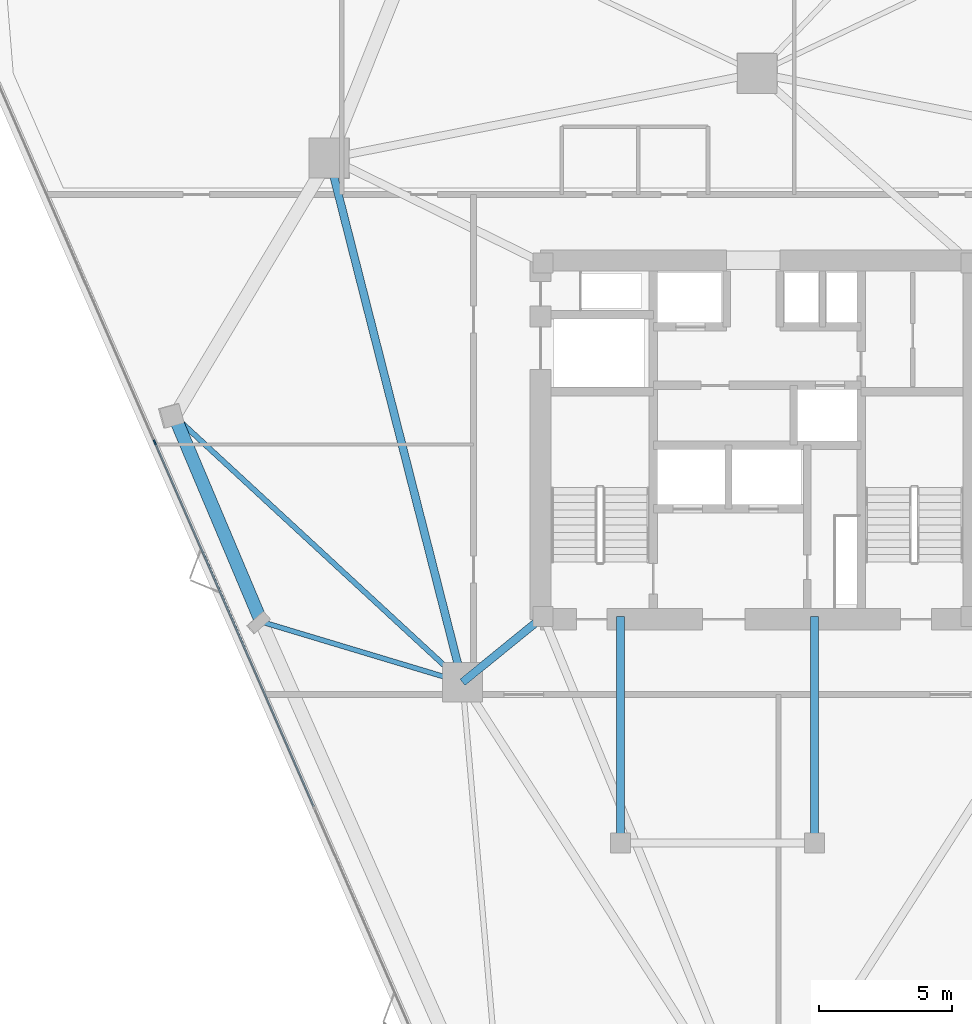
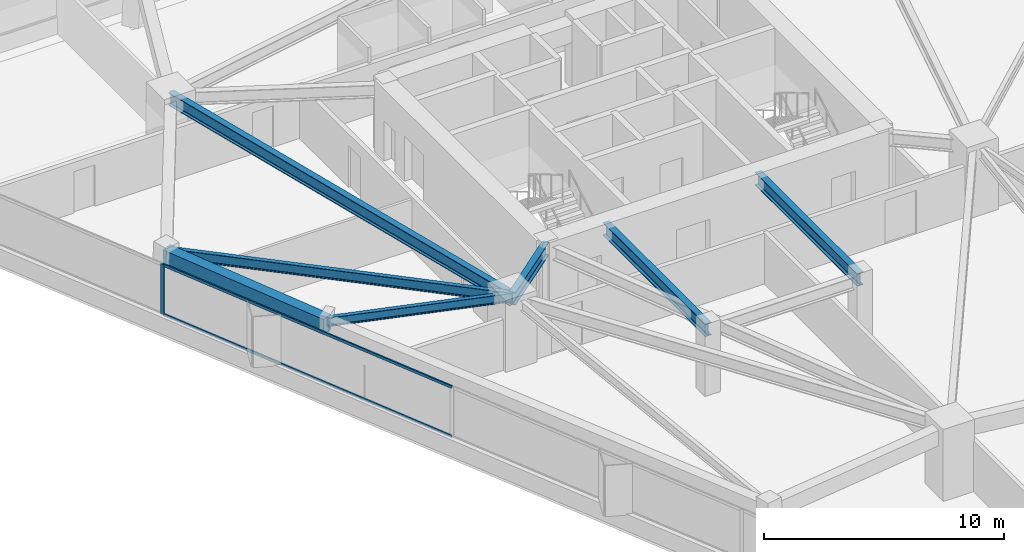
# One storey, part 4 of 16: 7 beams, 3 members, 1 element without a shape of its own.
"""IFC4 building model written with IfcOpenShell, lengths in metres."""

from ifc_helpers import new_model, si_unit, direction, frame, origin, origin_2d, place, context, subcontext, project, spatial, rectangle, i_section, extrude, material, layer, layer_set, material_profile, profile_set, type_object, element, aggregate, save


model = new_model("IFC4")

# Units and contexts
model_context = context("Model", 3, precision=1e-05, world=origin(), true_north=direction((0.0, 1.0)))
body_context = subcontext(model_context, "Body", "Model", "MODEL_VIEW")
ifc_project = project(units=[si_unit("LENGTHUNIT", "METRE"), si_unit("AREAUNIT", "SQUARE_METRE"), si_unit("VOLUMEUNIT", "CUBIC_METRE"), si_unit("PLANEANGLEUNIT", "RADIAN"), si_unit("MASSUNIT", "GRAM", prefix="KILO")], contexts=[model_context])

# Site, building, storey
site_placement = place(None, origin())
site = spatial("IfcSite", under=ifc_project, at=site_placement, CompositionType="ELEMENT")
building_placement = place(site_placement, origin())
building = spatial("IfcBuilding", under=site, at=building_placement, Name="Talyreon Biosciences Tower", CompositionType="ELEMENT")
storey_placement = place(building_placement, frame((0.0, 0.0, 134.5)))
storey = spatial("IfcBuildingStorey", under=building, at=storey_placement, Name="L35", CompositionType="ELEMENT", Elevation=134.5)

# Curtain wall, members
ifc_material_1 = material(Name="Thermally broken aluminium and low-E glazing", Category="aluminium")
ifc_layer = layer(ifc_material_1, 0.18505859375)
ifc_layer_set = layer_set([ifc_layer], Name="Thermally broken aluminium and low-E glazing")
curtain_wall_type = type_object("IfcCurtainWallType", Name="CurtainWall_Zone3Bioprocess", PredefinedType="NOTDEFINED", material=ifc_layer_set)
curtain_wall_placement = place(storey_placement, origin())
curtain_wall = element("IfcCurtainWall", 1, at=curtain_wall_placement, inside=storey, type_object=curtain_wall_type, Name="L35 Unitised Curtain Wall FCW-L35-00", PredefinedType="NOTDEFINED")
ifc_material_2 = material(Name="Anodised thermally broken aluminium", Category="aluminium")
ifc_material_profile_1 = material_profile(ifc_material_2, rectangle(XDim=0.06494140625, YDim=0.179931640625, at=origin_2d()), Name="ALUM MULLION 65x180")
ifc_profile_set_1 = profile_set([ifc_material_profile_1], Name="Anodised thermally broken aluminium")
member_type_1 = type_object("IfcMemberType", Name="CWMullion_65x180", PredefinedType="MULLION", material=ifc_profile_set_1)
member_1_placement = place(storey_placement, frame((43.3388671875, 67.910400390625, 0.81005859375), z_axis=(0.0, 0.0, 1.0), x_axis=(-0.916566441856, -0.399882429801, 0.0)))
member_1 = element("IfcMember", 2, at=member_1_placement, type_object=member_type_1, Name="CW4 mullion 4", PredefinedType="MULLION", context=body_context, shape_type="SweptSolid", body=[
    extrude(rectangle(XDim=0.06494140625, YDim=0.179931640625, at=origin_2d()), origin(), (0.0, 0.0, 1.0), 2.56494140625),
])
ifc_material_profile_2 = material_profile(ifc_material_2, rectangle(XDim=0.06494140625, YDim=0.139892578125, at=origin_2d()), Name="ALUM TRANSOM 65x140")
ifc_profile_set_2 = profile_set([ifc_material_profile_2], Name="Anodised thermally broken aluminium")
member_type_2 = type_object("IfcMemberType", Name="CWTransom_65x140", PredefinedType="USERDEFINED", material=ifc_profile_set_2)
member_2_placement = place(storey_placement, frame((49.3154296875, 54.2119140625, 0.842529296875), z_axis=(-0.399893696756, 0.916561526192, 0.0), x_axis=(-0.916561526192, -0.399893696756, 0.0)))
member_2 = element("IfcMember", 3, at=member_2_placement, type_object=member_type_2, Name="CW4 transom 3.1", ObjectType="TRANSOM", PredefinedType="USERDEFINED", context=body_context, shape_type="SweptSolid", body=[
    extrude(rectangle(XDim=0.06494140625, YDim=0.139892578125, at=origin_2d()), origin(), (0.0, 0.0, 1.0), 14.9130859375),
])
member_3_placement = place(storey_placement, frame((49.3154296875, 54.2119140625, 3.342529296875), z_axis=(-0.399893696756, 0.916561526192, 0.0), x_axis=(-0.916561526192, -0.399893696756, 0.0)))
member_3 = element("IfcMember", 4, at=member_3_placement, type_object=member_type_2, Name="CW4 transom 3.2", ObjectType="TRANSOM", PredefinedType="USERDEFINED", context=body_context, shape_type="SweptSolid", body=[
    extrude(rectangle(XDim=0.06494140625, YDim=0.139892578125, at=origin_2d()), origin(), (0.0, 0.0, 1.0), 14.9130859375),
])
aggregate(curtain_wall, [member_1, member_2, member_3])

# Beams
ifc_material_3 = material(Name="Precast concrete C45/55", Category="concrete")
ifc_material_profile_3 = material_profile(ifc_material_3, rectangle(XDim=0.5, YDim=0.780029296875, at=origin_2d()), Name="RCB 500x780")
ifc_profile_set_3 = profile_set([ifc_material_profile_3], Name="Precast concrete C45/55")
beam_type_1 = type_object("IfcBeamType", Name="ExpressedSpandrel_500x780", PredefinedType="SPANDREL", material=ifc_profile_set_3)
beam_1_placement = place(storey_placement, frame((44.080078125, 68.887451171875, 2.985107421875), z_axis=(0.388932514142, -0.921266247858, 0.0), x_axis=(0.921266247858, 0.388932514142, 0.0)))
element("IfcBeam", 5, at=beam_1_placement, inside=storey, type_object=beam_type_1, Name="L35 Expressed Horizontal Concrete Spandrel 10", PredefinedType="SPANDREL", context=body_context, shape_type="SweptSolid", body=[
    extrude(rectangle(XDim=0.5, YDim=0.780029296875, at=origin_2d()), origin(), (0.0, 0.0, 1.0), 8.38818359375),
])
ifc_material_4 = material(Name="Steel SM355", Category="steel")
ifc_material_profile_4 = material_profile(ifc_material_4, i_section(OverallWidth=0.300048828125, OverallDepth=0.64990234375, WebThickness=0.01611328125, FlangeThickness=0.031005859375, FilletRadius=0.027099609375, at=origin_2d()), Name="HE650B")
ifc_profile_set_4 = profile_set([ifc_material_profile_4], Name="Steel SM355")
beam_type_2 = type_object("IfcBeamType", Name="SteelBeam_HE650B", PredefinedType="BEAM", material=ifc_profile_set_4)
beam_2_placement = place(storey_placement, frame((49.897705078125, 78.5986328125, 3.050048828125), z_axis=(0.246537082299, -0.969133358755, 0.0), x_axis=(0.969133358755, 0.246537082299, 0.0)))
element("IfcBeam", 6, at=beam_2_placement, inside=storey, type_object=beam_type_2, Name="L35 Mega-Ring Girder 5", PredefinedType="BEAM", context=body_context, shape_type="SweptSolid", body=[
    extrude(i_section(OverallWidth=0.300048828125, OverallDepth=0.64990234375, WebThickness=0.01611328125, FlangeThickness=0.031005859375, FilletRadius=0.027099609375, at=origin_2d()), origin(), (0.0, 0.0, 1.0), 20.34619140625),
])
beam_3_placement = place(storey_placement, frame((57.949951171875, 61.35009765625, 3.050048828125), z_axis=(-0.775755154013, -0.631034025249, 0.0), x_axis=(0.631034025249, -0.775755154013, 0.0)))
element("IfcBeam", 7, at=beam_3_placement, inside=storey, type_object=beam_type_2, Name="L35 Radial Primary Girder 6", PredefinedType="BEAM", context=body_context, shape_type="SweptSolid", body=[
    extrude(i_section(OverallWidth=0.300048828125, OverallDepth=0.64990234375, WebThickness=0.01611328125, FlangeThickness=0.031005859375, FilletRadius=0.027099609375, at=origin_2d()), origin(), (0.0, 0.0, 1.0), 3.913818359375),
])
for number, where, z_axis, x_axis, name in (
    (8, (60.85009765625, 52.840087890625, 3.050048828125), (0.0, 1.0, 0.0), (-1.0, 0.0, 0.0), "L35 Crown Shaft Tie Girder W"),
    (9, (68.14990234375, 52.840087890625, 3.050048828125), (0.0, 1.0, 0.0), (-1.0, 0.0, 0.0), "L35 Crown Shaft Tie Girder E"),
):
    element("IfcBeam", number, at=place(storey_placement, frame(where, z_axis=z_axis, x_axis=x_axis)), inside=storey, type_object=beam_type_2, Name=name, PredefinedType="BEAM", context=body_context, shape_type="SweptSolid", body=[
        extrude(i_section(OverallWidth=0.300048828125, OverallDepth=0.64990234375, WebThickness=0.01611328125, FlangeThickness=0.031005859375, FilletRadius=0.027099609375, at=origin_2d()), origin(), (0.0, 0.0, 1.0), 8.510009765625),
    ])
ifc_material_profile_5 = material_profile(ifc_material_4, i_section(OverallWidth=0.18994140625, OverallDepth=0.449951171875, WebThickness=0.009521484375, FlangeThickness=0.0146484375, FilletRadius=0.02099609375, at=origin_2d()), Name="IPE450")
ifc_profile_set_5 = profile_set([ifc_material_profile_5], Name="Steel SM355")
beam_type_3 = type_object("IfcBeamType", Name="SteelJoist_IPE450", PredefinedType="JOIST", material=ifc_profile_set_5)
beam_4_placement = place(storey_placement, frame((54.913818359375, 58.88037109375, 3.14990234375), z_axis=(-0.957550503989, 0.288265558662, 0.0), x_axis=(-0.288265558662, -0.957550503989, 0.0)))
element("IfcBeam", 10, at=beam_4_placement, inside=storey, type_object=beam_type_3, Name="L35 Radial Composite Floor Joist PL-SW", PredefinedType="JOIST", context=body_context, shape_type="SweptSolid", body=[
    extrude(i_section(OverallWidth=0.18994140625, OverallDepth=0.449951171875, WebThickness=0.009521484375, FlangeThickness=0.0146484375, FilletRadius=0.02099609375, at=origin_2d()), origin(), (0.0, 0.0, 1.0), 7.906982421875),
])
ifc_material_profile_6 = material_profile(ifc_material_4, i_section(OverallWidth=0.199951171875, OverallDepth=0.5, WebThickness=0.01025390625, FlangeThickness=0.01611328125, FilletRadius=0.02099609375, at=origin_2d()), Name="IPE500")
ifc_profile_set_6 = profile_set([ifc_material_profile_6], Name="Steel SM355")
beam_type_4 = type_object("IfcBeamType", Name="SteelJoist_IPE500", PredefinedType="JOIST", material=ifc_profile_set_6)
beam_5_placement = place(storey_placement, frame((54.913818359375, 58.88037109375, 3.125), z_axis=(-0.734576832808, 0.678525516619, 0.0), x_axis=(-0.678525516619, -0.734576832808, 0.0)))
element("IfcBeam", 11, at=beam_5_placement, inside=storey, type_object=beam_type_4, Name="L35 Radial Composite Floor Joist PC-SW1", PredefinedType="JOIST", context=body_context, shape_type="SweptSolid", body=[
    extrude(i_section(OverallWidth=0.199951171875, OverallDepth=0.5, WebThickness=0.01025390625, FlangeThickness=0.01611328125, FilletRadius=0.02099609375, at=origin_2d()), origin(), (0.0, 0.0, 1.0), 14.748291015625),
])

save(model, "model.ifc")
